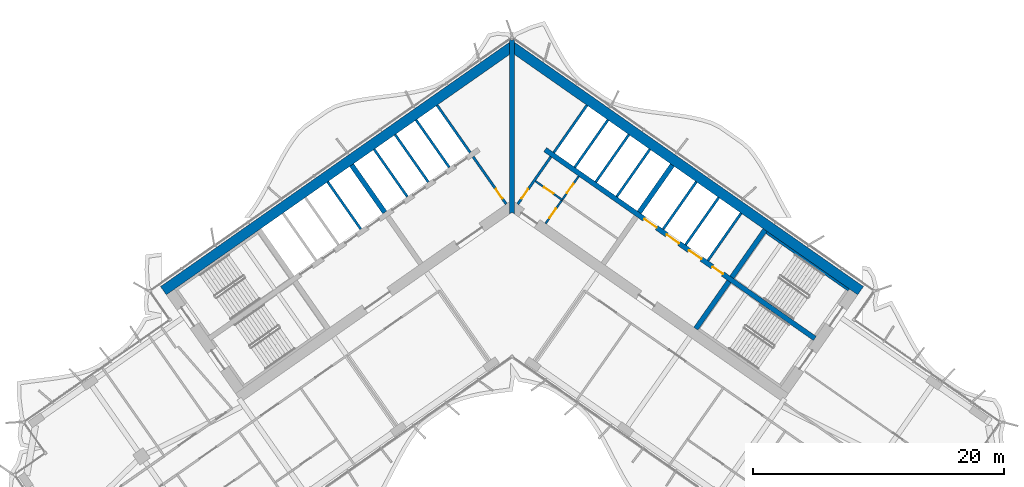
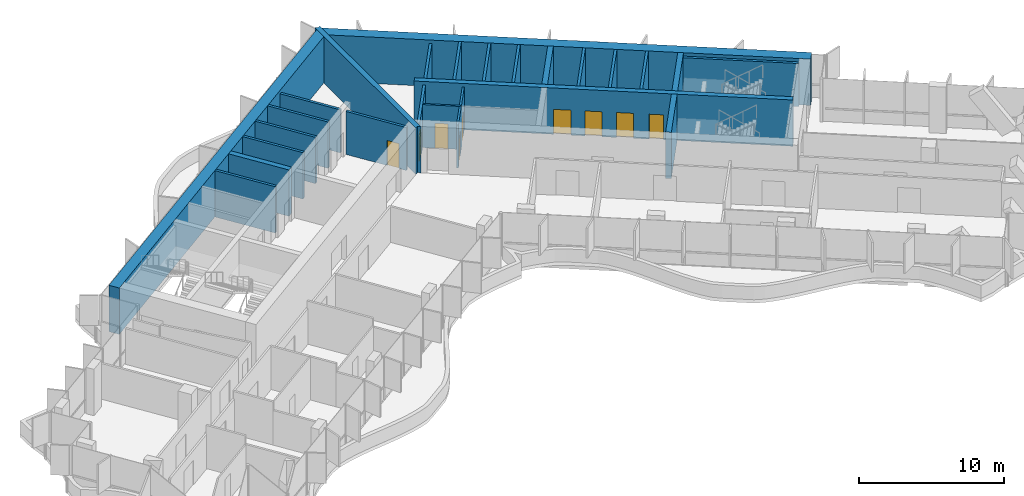
# One storey, part 14 of 21: 25 walls, 9 doors, 9 openings.
"""IFC4 building model written with IfcOpenShell, lengths in metres."""

import ifcopenshell
import ifcopenshell.guid

model = None  # the IFC model being written
_history = None  # IfcOwnerHistory: only IFC2X3 demands one
_inside = {}  # id of a spatial element -> (the spatial element, [elements in it])
_under = {}  # id of a project, library or spatial element -> (it, [spatial elements below it])
_declared = {}  # id of a project -> (the project, [libraries it declares])
_typed = {}  # id of a type object -> (the type object, [elements of that type])
_made_of = {}  # id of a material, layer set ... -> (it, [elements and type objects made of it])


def new_model(schema):
    """Start an empty IFC model of exactly this schema.

    Asked for "IFC4X3", IfcOpenShell would pick the latest addendum, in which some entities
    have other attributes; the version numbers below select the first issue.
    IFC2X3 requires an IfcOwnerHistory on every rooted entity: one is made here for all.
    """
    global model, _history
    if schema == "IFC4X3":
        model = ifcopenshell.file(schema_version=(4, 3, 0, 0))
    else:
        model = ifcopenshell.file(schema=schema)
    _inside.clear()
    _under.clear()
    _declared.clear()
    _typed.clear()
    _made_of.clear()
    _history = None
    if model.schema == "IFC2X3":
        org = make("IfcOrganization", Name="unknown")
        user = make(
            "IfcPersonAndOrganization",
            ThePerson=make("IfcPerson", FamilyName="unknown"),
            TheOrganization=org,
        )
        app = make(
            "IfcApplication",
            ApplicationDeveloper=org,
            Version="unknown",
            ApplicationFullName="unknown",
            ApplicationIdentifier="unknown",
        )
        _history = make(
            "IfcOwnerHistory",
            OwningUser=user,
            OwningApplication=app,
            ChangeAction="ADDED",
            CreationDate=0,
        )
    return model


def make(cls, **values):
    """One entity of the class cls with the attributes given. An attribute that is None is left unset."""
    return model.create_entity(
        cls, **{name: value for name, value in values.items() if value is not None}
    )


def rooted(cls, **values):
    """An entity with a GlobalId (a new one), such as an element, a storey or a relation."""
    return make(cls, GlobalId=ifcopenshell.guid.new(), OwnerHistory=_history, **values)


def si_unit(unit_type, name, prefix=None):
    """IfcSIUnit, for example si_unit("LENGTHUNIT", "METRE", prefix="MILLI")."""
    return make("IfcSIUnit", UnitType=unit_type, Prefix=prefix, Name=name)


def assignment(units):
    """IfcUnitAssignment: the units of a project."""
    return None if units is None else make("IfcUnitAssignment", Units=units)


def point(xyz):
    """IfcCartesianPoint."""
    return None if xyz is None else make("IfcCartesianPoint", Coordinates=xyz)


def direction(xyz):
    """IfcDirection."""
    return None if xyz is None else make("IfcDirection", DirectionRatios=xyz)


def frame(location, z_axis=None, x_axis=None):
    """IfcAxis2Placement3D, a coordinate frame: its origin and axes. An axis left out is left unset."""
    return make(
        "IfcAxis2Placement3D",
        Location=point(location),
        Axis=direction(z_axis),
        RefDirection=direction(x_axis),
    )


def frame_2d(location, x_axis=None):
    """IfcAxis2Placement2D, a coordinate frame in the plane: its origin and x axis."""
    return make(
        "IfcAxis2Placement2D", Location=point(location), RefDirection=direction(x_axis)
    )


def origin():
    """The frame at (0, 0, 0) with its axes left unset."""
    return frame((0.0, 0.0, 0.0))


def place(relative_to, where):
    """IfcLocalPlacement: puts the frame where relative to a parent placement (None: the world)."""
    return make(
        "IfcLocalPlacement", PlacementRelTo=relative_to, RelativePlacement=where
    )


def context(
    kind, dimensions, precision=None, world=None, true_north=None, identifier=None
):
    """IfcGeometricRepresentationContext, for example the 3D "Model" context."""
    return make(
        "IfcGeometricRepresentationContext",
        ContextIdentifier=identifier,
        ContextType=kind,
        CoordinateSpaceDimension=dimensions,
        Precision=precision,
        WorldCoordinateSystem=world,
        TrueNorth=true_north,
    )


def subcontext(parent, identifier, kind, view, scale=None):
    """IfcGeometricRepresentationSubContext, for example "Body" below "Model"."""
    return make(
        "IfcGeometricRepresentationSubContext",
        ContextIdentifier=identifier,
        ContextType=kind,
        ParentContext=parent,
        TargetScale=scale,
        TargetView=view,
    )


def project(units=None, contexts=None):
    """IfcProject with its units and contexts."""
    return rooted(
        "IfcProject",
        Name="project",
        RepresentationContexts=contexts,
        UnitsInContext=assignment(units),
    )


def spatial(cls, under=None, at=None, **own):
    """A site, building, storey or space (cls), placed at a placement, below another one or the project."""
    s = rooted(cls, ObjectPlacement=at, **own)
    if under is not None:
        _under.setdefault(under.id(), (under, []))[1].append(s)
    return s


def polyline(points):
    """IfcPolyline through the points."""
    return make("IfcPolyline", Points=[point(p) for p in points])


def profile(cls, at=None, kind="AREA", **sizes):
    """A parametric profile (cls). Its sizes go by their IFC names, for example OverallWidth=200.0."""
    return make(cls, ProfileType=kind, Position=at, **sizes)


def rectangle(**sizes):
    """IfcRectangleProfileDef."""
    return profile("IfcRectangleProfileDef", **sizes)


def outline(outer, holes=None, kind="AREA"):
    """IfcArbitraryClosedProfileDef: a profile drawn as a closed curve; with holes, ...WithVoids."""
    if holes is None:
        return make("IfcArbitraryClosedProfileDef", ProfileType=kind, OuterCurve=outer)
    return make(
        "IfcArbitraryProfileDefWithVoids",
        ProfileType=kind,
        OuterCurve=outer,
        InnerCurves=holes,
    )


def extrude(swept, where, along, depth):
    """IfcExtrudedAreaSolid: the profile swept, set in the frame where, extruded along a direction by depth."""
    return make(
        "IfcExtrudedAreaSolid",
        SweptArea=swept,
        Position=where,
        ExtrudedDirection=direction(along),
        Depth=depth,
    )


def shape(context_of_items, identifier, shape_type, items):
    """IfcShapeRepresentation: the items that make up one representation, for example the "Body"."""
    return make(
        "IfcShapeRepresentation",
        ContextOfItems=context_of_items,
        RepresentationIdentifier=identifier,
        RepresentationType=shape_type,
        Items=items,
    )


def material(Name=None, Category=None):
    """IfcMaterial."""
    return make("IfcMaterial", Name=Name, Category=Category)


def layer(
    of_material, thickness, ventilated=None, Name=None, Category=None, Priority=None
):
    """IfcMaterialLayer: one layer of a wall or slab, of a material (None: an air gap)."""
    return make(
        "IfcMaterialLayer",
        Material=of_material,
        LayerThickness=thickness,
        IsVentilated=ventilated,
        Name=Name,
        Category=Category,
        Priority=Priority,
    )


def layer_set(layers, Name=None):
    """IfcMaterialLayerSet."""
    return make("IfcMaterialLayerSet", MaterialLayers=layers, LayerSetName=Name)


def made_of(thing, what):
    """Note that an element or type object is made of a material, layer set ...; save() writes the relation."""
    if what is not None:
        _made_of.setdefault(what.id(), (what, []))[1].append(thing)
    return thing


def type_object(cls, material=None, **own):
    """A type object (cls), such as IfcWallType, which elements share."""
    return made_of(rooted(cls, **own), material)


def element(
    cls,
    number,
    at=None,
    inside=None,
    cuts=None,
    type_object=None,
    material=None,
    context=None,
    identifier="Body",
    shape_type=None,
    held_by="IfcProductDefinitionShape",
    body=None,
    shapes=None,
    **own,
):
    """One element of the class cls, such as IfcWall. Its Tag is "e" and its number.

    at: its placement. inside: the storey or other place that contains it. cuts: it is an
    opening in that element (IfcRelVoidsElement). A single representation is given by context,
    identifier, shape_type and body (its items); several are given by shapes. held_by: the class
    of the entity that holds the representations. save() writes the other relations.
    """
    e = rooted(cls, Tag="e%d" % number, ObjectPlacement=at, **own)
    if body is not None:
        shapes = [shape(context, identifier, shape_type, body)]
    if shapes is not None:
        e.Representation = make(held_by, Representations=shapes)
    if inside is not None:
        _inside.setdefault(inside.id(), (inside, []))[1].append(e)
    if cuts is not None:
        rooted(
            "IfcRelVoidsElement", RelatingBuildingElement=cuts, RelatedOpeningElement=e
        )
    if type_object is not None:
        _typed.setdefault(type_object.id(), (type_object, []))[1].append(e)
    return made_of(e, material)


def fill(opening, filler):
    """IfcRelFillsElement: the door or window that sits in an opening."""
    return rooted(
        "IfcRelFillsElement",
        RelatingOpeningElement=opening,
        RelatedBuildingElement=filler,
    )


def aggregate(whole, parts):
    """IfcRelAggregates: a whole, such as a stair, and the parts it consists of."""
    return rooted("IfcRelAggregates", RelatingObject=whole, RelatedObjects=parts)


def save(model, path):
    """Write the relations noted so far, then the file.

    IfcRelAggregates (storeys below a building ...), IfcRelContainedInSpatialStructure (elements
    in a storey), IfcRelDefinesByType, IfcRelAssociatesMaterial and IfcRelDeclares: one each for
    every whole, place, type object, material and project.
    """
    for whole, parts in _under.values():
        aggregate(whole, parts)
    for where, things in _inside.values():
        rooted(
            "IfcRelContainedInSpatialStructure",
            RelatedElements=things,
            RelatingStructure=where,
        )
    for kind, things in _typed.values():
        rooted("IfcRelDefinesByType", RelatedObjects=things, RelatingType=kind)
    for what, things in _made_of.values():
        rooted("IfcRelAssociatesMaterial", RelatedObjects=things, RelatingMaterial=what)
    for by, libraries in _declared.values():
        rooted("IfcRelDeclares", RelatingContext=by, RelatedDefinitions=libraries)
    model.write(path)


model = new_model("IFC4")

# Units and contexts
model_context = context("Model", 3, precision=1e-05, world=origin(), true_north=direction((0.0, 1.0)))
body_context = subcontext(model_context, "Body", "Model", "MODEL_VIEW")
ifc_project = project(units=[si_unit("LENGTHUNIT", "METRE"), si_unit("AREAUNIT", "SQUARE_METRE"), si_unit("VOLUMEUNIT", "CUBIC_METRE"), si_unit("PLANEANGLEUNIT", "RADIAN"), si_unit("MASSUNIT", "GRAM", prefix="KILO")], contexts=[model_context])

# Site, building, storey
site_placement = place(None, origin())
site = spatial("IfcSite", under=ifc_project, at=site_placement, CompositionType="ELEMENT")
building_placement = place(site_placement, origin())
building = spatial("IfcBuilding", under=site, at=building_placement, Name="Tel Ilan Convention Tower", CompositionType="ELEMENT")
storey_placement = place(building_placement, frame((0.0, 0.0, 139.800048828125)))
storey = spatial("IfcBuildingStorey", under=building, at=storey_placement, Name="L31", CompositionType="ELEMENT", Elevation=139.800048828125)

# Wall, openings, doors
ifc_material_1 = material(Name="Gypsum Plasterboard on Steel Stud", Category="steel")
ifc_layer_1 = layer(ifc_material_1, 0.14990234375)
ifc_layer_set_1 = layer_set([ifc_layer_1], Name="Core Room Partition Wall 150 mm EI 60")
wall_type_1 = type_object("IfcWallType", Name="Core Room Partition Wall 150 mm EI 60", PredefinedType="PARTITIONING", material=ifc_layer_set_1)
wall_1_placement = place(storey_placement, frame((2.67041015625, -2.114013671875, 0.0), z_axis=(0.0, 0.0, 1.0), x_axis=(0.573576324356, 0.819152122709, 0.0)))
wall_1 = element("IfcWall", 1, at=wall_1_placement, inside=storey, type_object=wall_type_1, Name="L31 core wall wc-v1", PredefinedType="PARTITIONING", context=body_context, shape_type="SweptSolid", body=[
    extrude(rectangle(XDim=4.599853515625, YDim=0.14990234375, at=frame_2d((2.2998046875, 0.0))), origin(), (0.0, 0.0, 1.0), 3.619873046875),
])
opening_1_placement = place(wall_1_placement, frame((0.550048828125, 0.0, 0.0)))
opening_1 = element("IfcOpeningElement", 2, at=opening_1_placement, cuts=wall_1, Name="Opening CD2509", PredefinedType="OPENING", context=body_context, shape_type="SweptSolid", body=[
    extrude(rectangle(XDim=0.89990234375, YDim=2.10009765625, at=frame_2d((0.449951171875, 1.050048828125))), frame((0.0, 0.0849609375, 0.0), z_axis=(0.0, -1.0, 0.0), x_axis=(1.0, 0.0, 0.0)), (0.0, 0.0, 1.0), 0.169921875),
])
opening_2_placement = place(wall_1_placement, frame((2.949951171875, 0.0, 0.0)))
opening_2 = element("IfcOpeningElement", 3, at=opening_2_placement, cuts=wall_1, Name="Opening CD2510", PredefinedType="OPENING", context=body_context, shape_type="SweptSolid", body=[
    extrude(rectangle(XDim=0.89990234375, YDim=2.10009765625, at=frame_2d((0.449951171875, 1.050048828125))), frame((0.0, 0.0849609375, 0.0), z_axis=(0.0, -1.0, 0.0), x_axis=(1.0, 0.0, 0.0)), (0.0, 0.0, 1.0), 0.169921875),
])
ifc_material_2 = material(Name="Laminated Timber Door Leaf", Category="wood")
door_type_1 = type_object("IfcDoorType", Name="Toilet Door 900 x 2100 FD30S", OperationType="NOTDEFINED", PredefinedType="DOOR", material=ifc_material_2)
door_1_placement = place(opening_1_placement, origin())
door_1 = element("IfcDoor", 4, at=door_1_placement, inside=storey, type_object=door_type_1, Name="Women's WC door", OperationType="SINGLE_SWING_RIGHT", OverallHeight=2.10009765625, OverallWidth=0.89990234375, PredefinedType="DOOR", context=body_context, shape_type="SweptSolid", body=[
    extrude(rectangle(XDim=0.89990234375, YDim=2.10009765625, at=frame_2d((0.449951171875, 1.050048828125))), frame((0.0, 0.02490234375, 0.0), z_axis=(0.0, -1.0, 0.0), x_axis=(1.0, 0.0, 0.0)), (0.0, 0.0, 1.0), 0.050048828125),
])
fill(opening_1, door_1)
door_2_placement = place(opening_2_placement, origin())
door_2 = element("IfcDoor", 5, at=door_2_placement, inside=storey, type_object=door_type_1, Name="Men's WC door", OperationType="SINGLE_SWING_RIGHT", OverallHeight=2.10009765625, OverallWidth=0.89990234375, PredefinedType="DOOR", context=body_context, shape_type="SweptSolid", body=[
    extrude(rectangle(XDim=0.89990234375, YDim=2.10009765625, at=frame_2d((0.449951171875, 1.050048828125))), frame((0.0, 0.02490234375, 0.0), z_axis=(0.0, -1.0, 0.0), x_axis=(1.0, 0.0, 0.0)), (0.0, 0.0, 1.0), 0.050048828125),
])
fill(opening_2, door_2)

# Wall, opening, door
wall_2_placement = place(storey_placement, frame((1.85986328125, 1.261474609375, 0.0), z_axis=(0.0, 0.0, 1.0), x_axis=(0.819103967032, -0.573645091666, 0.0)))
wall_2 = element("IfcWall", 6, at=wall_2_placement, inside=storey, type_object=wall_type_1, Name="L31 core wall wc-h1", PredefinedType="PARTITIONING", context=body_context, shape_type="SweptSolid", body=[
    extrude(rectangle(XDim=2.599853515625, YDim=0.14990234375, at=frame_2d((1.2998046875, 0.0))), origin(), (0.0, 0.0, 1.0), 3.619873046875),
])
opening_3_placement = place(wall_2_placement, frame((0.85009765625, 0.0, 0.0)))
opening_3 = element("IfcOpeningElement", 7, at=opening_3_placement, cuts=wall_2, Name="Opening CD2508", PredefinedType="OPENING", context=body_context, shape_type="SweptSolid", body=[
    extrude(rectangle(XDim=0.89990234375, YDim=2.10009765625, at=frame_2d((0.449951171875, 1.050048828125))), frame((0.0, 0.0849609375, 0.0), z_axis=(0.0, -1.0, 0.0), x_axis=(1.0, 0.0, 0.0)), (0.0, 0.0, 1.0), 0.169921875),
])
door_3_placement = place(opening_3_placement, origin())
door_3 = element("IfcDoor", 8, at=door_3_placement, inside=storey, type_object=door_type_1, Name="Accessible WC door", OperationType="SINGLE_SWING_RIGHT", OverallHeight=2.10009765625, OverallWidth=0.89990234375, PredefinedType="DOOR", context=body_context, shape_type="SweptSolid", body=[
    extrude(rectangle(XDim=0.89990234375, YDim=2.10009765625, at=frame_2d((0.449951171875, 1.050048828125))), frame((0.0, 0.02490234375, 0.0), z_axis=(0.0, -1.0, 0.0), x_axis=(1.0, 0.0, 0.0)), (0.0, 0.0, 1.0), 0.050048828125),
])
fill(opening_3, door_3)

ifc_material_3 = material(Name="Concrete C30/37", Category="concrete")
ifc_layer_2 = layer(ifc_material_3, 0.199951171875)
ifc_layer_set_2 = layer_set([ifc_layer_2], Name="Core Service Room Wall 200 mm C30/37")
wall_type_2 = type_object("IfcWallType", Name="Core Service Room Wall 200 mm C30/37", PredefinedType="SOLIDWALL", material=ifc_layer_set_2)
wall_3_placement = place(storey_placement, frame((-0.458740234375, -0.565185546875, 0.0), z_axis=(0.0, 0.0, 1.0), x_axis=(-0.573576324356, 0.819152122709, 0.0)))
wall_3 = element("IfcWall", 9, at=wall_3_placement, inside=storey, type_object=wall_type_2, Name="L31 core wall apex-W", PredefinedType="SOLIDWALL", context=body_context, shape_type="SweptSolid", body=[
    extrude(rectangle(XDim=4.599853515625, YDim=0.199951171875, at=frame_2d((2.2998046875, 0.0))), origin(), (0.0, 0.0, 1.0), 3.619873046875),
])
opening_4_placement = place(wall_3_placement, frame((0.550048828125, 0.0, 0.0)))
opening_4 = element("IfcOpeningElement", 10, at=opening_4_placement, cuts=wall_3, Name="Opening CD2502", PredefinedType="OPENING", context=body_context, shape_type="SweptSolid", body=[
    extrude(rectangle(XDim=0.89990234375, YDim=2.10009765625, at=frame_2d((0.449951171875, 1.050048828125))), frame((0.0, 0.10986328125, 0.0), z_axis=(0.0, -1.0, 0.0), x_axis=(1.0, 0.0, 0.0)), (0.0, 0.0, 1.0), 0.219970703125),
])
ifc_material_4 = material(Name="Galvanised Steel Door Leaf", Category="steel")
door_type_2 = type_object("IfcDoorType", Name="Service Room Door 900 x 2100 FD60", OperationType="NOTDEFINED", PredefinedType="DOOR", material=ifc_material_4)
door_4_placement = place(opening_4_placement, origin())
door_4 = element("IfcDoor", 11, at=door_4_placement, inside=storey, type_object=door_type_2, Name="Electrical Room door", OperationType="SINGLE_SWING_RIGHT", OverallHeight=2.10009765625, OverallWidth=0.89990234375, PredefinedType="DOOR", context=body_context, shape_type="SweptSolid", body=[
    extrude(rectangle(XDim=0.89990234375, YDim=2.10009765625, at=frame_2d((0.449951171875, 1.050048828125))), frame((0.0, 0.02490234375, 0.0), z_axis=(0.0, -1.0, 0.0), x_axis=(1.0, 0.0, 0.0)), (0.0, 0.0, 1.0), 0.050048828125),
])
fill(opening_4, door_4)

# Wall
wall_4_placement = place(storey_placement, frame((-3.32666015625, 3.530517578125, 0.0), z_axis=(0.0, 0.0, 1.0), x_axis=(-0.573576324356, 0.819152122709, 0.0)))
element("IfcWall", 12, at=wall_4_placement, inside=storey, type_object=wall_type_2, Name="L31 core wall apex-W-b", PredefinedType="SOLIDWALL", context=body_context, shape_type="SweptSolid", body=[
    extrude(rectangle(XDim=4.599853515625, YDim=0.199951171875, at=frame_2d((2.2998046875, 0.0))), origin(), (0.0, 0.0, 1.0), 3.619873046875),
])

# Wall, opening, door
wall_5_placement = place(storey_placement, frame((0.458740234375, -0.565185546875, 0.0), z_axis=(0.0, 0.0, 1.0), x_axis=(0.573576324356, 0.819152122709, 0.0)))
wall_5 = element("IfcWall", 13, at=wall_5_placement, inside=storey, type_object=wall_type_2, Name="L31 core wall apex-E", PredefinedType="SOLIDWALL", context=body_context, shape_type="SweptSolid", body=[
    extrude(rectangle(XDim=4.599853515625, YDim=0.199951171875, at=frame_2d((2.2998046875, 0.0))), origin(), (0.0, 0.0, 1.0), 3.619873046875),
])
opening_5_placement = place(wall_5_placement, frame((0.550048828125, 0.0, 0.0)))
opening_5 = element("IfcOpeningElement", 14, at=opening_5_placement, cuts=wall_5, Name="Opening CD2501", PredefinedType="OPENING", context=body_context, shape_type="SweptSolid", body=[
    extrude(rectangle(XDim=0.89990234375, YDim=2.10009765625, at=frame_2d((0.449951171875, 1.050048828125))), frame((0.0, 0.10986328125, 0.0), z_axis=(0.0, -1.0, 0.0), x_axis=(1.0, 0.0, 0.0)), (0.0, 0.0, 1.0), 0.219970703125),
])
door_5_placement = place(opening_5_placement, origin())
door_5 = element("IfcDoor", 15, at=door_5_placement, inside=storey, type_object=door_type_2, Name="Store Room door", OperationType="SINGLE_SWING_RIGHT", OverallHeight=2.10009765625, OverallWidth=0.89990234375, PredefinedType="DOOR", context=body_context, shape_type="SweptSolid", body=[
    extrude(rectangle(XDim=0.89990234375, YDim=2.10009765625, at=frame_2d((0.449951171875, 1.050048828125))), frame((0.0, 0.02490234375, 0.0), z_axis=(0.0, -1.0, 0.0), x_axis=(1.0, 0.0, 0.0)), (0.0, 0.0, 1.0), 0.050048828125),
])
fill(opening_5, door_5)

# Walls
wall_6_placement = place(storey_placement, frame((3.32666015625, 3.530517578125, 0.0), z_axis=(0.0, 0.0, 1.0), x_axis=(0.573576324356, 0.819152122709, 0.0)))
element("IfcWall", 16, at=wall_6_placement, inside=storey, type_object=wall_type_2, Name="L31 core wall apex-E-b", PredefinedType="SOLIDWALL", context=body_context, shape_type="SweptSolid", body=[
    extrude(rectangle(XDim=4.599853515625, YDim=0.199951171875, at=frame_2d((2.2998046875, 0.0))), origin(), (0.0, 0.0, 1.0), 3.619873046875),
])
ifc_material_5 = material(Name="Concrete C50/60", Category="concrete")
ifc_layer_3 = layer(ifc_material_5, 0.39990234375)
ifc_layer_set_3 = layer_set([ifc_layer_3], Name="Core Shear Wall 400 mm C50/60")
wall_type_3 = type_object("IfcWallType", Name="Core Shear Wall 400 mm C50/60", PredefinedType="SHEAR", material=ifc_layer_set_3)
wall_7_placement = place(storey_placement, frame((-10.12548828125, -1.230224609375, 0.0), z_axis=(0.0, 0.0, 1.0), x_axis=(-0.573576324356, 0.819152122709, 0.0)))
element("IfcWall", 17, at=wall_7_placement, inside=storey, type_object=wall_type_3, Name="L31 core wall W-cross1-2", PredefinedType="SHEAR", context=body_context, shape_type="SweptSolid", body=[
    extrude(outline(polyline([(4.60009765625, -0.199951171875), (4.599853515625, 0.199951171875), (0.0, 0.2001953125), (0.0, -0.199951171875), (4.60009765625, -0.199951171875)])), origin(), (0.0, 0.0, 1.0), 3.89990234375),
])
wall_8_placement = place(storey_placement, frame((10.12548828125, -1.230224609375, 0.0), z_axis=(0.0, 0.0, 1.0), x_axis=(0.573576324356, 0.819152122709, 0.0)))
element("IfcWall", 18, at=wall_8_placement, inside=storey, type_object=wall_type_3, Name="L31 core wall E-cross1-2", PredefinedType="SHEAR", context=body_context, shape_type="SweptSolid", body=[
    extrude(outline(polyline([(4.599853515625, -0.199951171875), (4.60009765625, 0.199951171875), (0.0, 0.199951171875), (0.0, -0.2001953125), (4.599853515625, -0.199951171875)])), origin(), (0.0, 0.0, 1.0), 3.89990234375),
])
wall_9_placement = place(storey_placement, frame((14.6298828125, -10.48828125, 0.0), z_axis=(0.0, 0.0, 1.0), x_axis=(0.573611936273, 0.819127185829, 0.0)))
element("IfcWall", 19, at=wall_9_placement, inside=storey, type_object=wall_type_3, Name="L31 core wall E-cross2-1", PredefinedType="SHEAR", context=body_context, shape_type="SweptSolid", body=[
    extrude(outline(polyline([(0.000244140625, 0.199951171875), (0.000244140625, -0.2001953125), (4.60009765625, -0.199951171875), (4.60009765625, 0.2001953125), (0.000244140625, 0.199951171875)])), origin(), (0.0, 0.0, 1.0), 3.89990234375),
])
wall_10_placement = place(storey_placement, frame((17.497802734375, -6.392333984375, 0.0), z_axis=(0.0, 0.0, 1.0), x_axis=(0.573611936273, 0.819127185829, 0.0)))
element("IfcWall", 20, at=wall_10_placement, inside=storey, type_object=wall_type_3, Name="L31 core wall E-cross2-2", PredefinedType="SHEAR", context=body_context, shape_type="SweptSolid", body=[
    extrude(outline(polyline([(4.599853515625, -0.199951171875), (4.599853515625, 0.2001953125), (0.0, 0.199951171875), (0.0, -0.2001953125), (4.599853515625, -0.199951171875)])), origin(), (0.0, 0.0, 1.0), 3.89990234375),
])

# Wall, openings, doors
wall_11_placement = place(storey_placement, frame((2.638427734375, 3.76806640625, 0.0), z_axis=(0.0, 0.0, 1.0), x_axis=(0.81915267502, -0.573575535572, 0.0)))
wall_11 = element("IfcWall", 21, at=wall_11_placement, inside=storey, type_object=wall_type_3, Name="L31 core wall E-spine", PredefinedType="SHEAR", context=body_context, shape_type="SweptSolid", body=[
    extrude(outline(polyline([(0.0, 0.199951171875), (0.0, -0.199951171875), (26.199951171875, -0.199951171875), (26.199951171875, 0.199951171875), (0.0, 0.199951171875)])), origin(), (0.0, 0.0, 1.0), 3.89990234375),
])
opening_6_placement = place(wall_11_placement, frame((9.637451171875, 0.0, 0.0)))
opening_6 = element("IfcOpeningElement", 22, at=opening_6_placement, cuts=wall_11, Name="Opening LD2501", PredefinedType="OPENING", context=body_context, shape_type="SweptSolid", body=[
    extrude(rectangle(XDim=1.199951171875, YDim=2.10009765625, at=frame_2d((0.60009765625, 1.050048828125))), frame((0.0, 0.2099609375, 0.0), z_axis=(0.0, -1.0, 0.0), x_axis=(1.0, 0.0, 0.0)), (0.0, 0.0, 1.0), 0.419921875),
])
opening_7_placement = place(wall_11_placement, frame((11.8125, 0.0, 0.0)))
opening_7 = element("IfcOpeningElement", 23, at=opening_7_placement, cuts=wall_11, Name="Opening LD2502", PredefinedType="OPENING", context=body_context, shape_type="SweptSolid", body=[
    extrude(rectangle(XDim=1.199951171875, YDim=2.10009765625, at=frame_2d((0.60009765625, 1.050048828125))), frame((0.0, 0.2099609375, 0.0), z_axis=(0.0, -1.0, 0.0), x_axis=(1.0, 0.0, 0.0)), (0.0, 0.0, 1.0), 0.419921875),
])
opening_8_placement = place(wall_11_placement, frame((13.987548828125, 0.0, 0.0)))
opening_8 = element("IfcOpeningElement", 24, at=opening_8_placement, cuts=wall_11, Name="Opening LD2503", PredefinedType="OPENING", context=body_context, shape_type="SweptSolid", body=[
    extrude(rectangle(XDim=1.199951171875, YDim=2.10009765625, at=frame_2d((0.60009765625, 1.050048828125))), frame((0.0, 0.2099609375, 0.0), z_axis=(0.0, -1.0, 0.0), x_axis=(1.0, 0.0, 0.0)), (0.0, 0.0, 1.0), 0.419921875),
])
opening_9_placement = place(wall_11_placement, frame((16.262451171875, 0.0, 0.0)))
opening_9 = element("IfcOpeningElement", 25, at=opening_9_placement, cuts=wall_11, Name="Opening CD2507", PredefinedType="OPENING", context=body_context, shape_type="SweptSolid", body=[
    extrude(rectangle(XDim=1.0, YDim=2.10009765625, at=frame_2d((0.5, 1.050048828125))), frame((0.0, 0.2099609375, 0.0), z_axis=(0.0, -1.0, 0.0), x_axis=(1.0, 0.0, 0.0)), (0.0, 0.0, 1.0), 0.419921875),
])
ifc_material_6 = material(Name="Stainless Steel Sliding Door Leaf", Category="steel")
door_type_3 = type_object("IfcDoorType", Name="Lift Landing Door 1200 x 2100 FD120", OperationType="NOTDEFINED", PredefinedType="DOOR", material=ifc_material_6)
door_6_placement = place(opening_6_placement, origin())
door_6 = element("IfcDoor", 26, at=door_6_placement, inside=storey, type_object=door_type_3, Name="Lift FL1 landing door", OperationType="SLIDING_TO_LEFT", OverallHeight=2.10009765625, OverallWidth=1.199951171875, PredefinedType="DOOR", context=body_context, shape_type="SweptSolid", body=[
    extrude(rectangle(XDim=1.199951171875, YDim=2.10009765625, at=frame_2d((0.60009765625, 1.050048828125))), frame((0.0, 0.02490234375, 0.0), z_axis=(0.0, -1.0, 0.0), x_axis=(1.0, 0.0, 0.0)), (0.0, 0.0, 1.0), 0.050048828125),
])
fill(opening_6, door_6)
door_7_placement = place(opening_7_placement, origin())
door_7 = element("IfcDoor", 27, at=door_7_placement, inside=storey, type_object=door_type_3, Name="Lift FL2 landing door", OperationType="SLIDING_TO_RIGHT", OverallHeight=2.10009765625, OverallWidth=1.199951171875, PredefinedType="DOOR", context=body_context, shape_type="SweptSolid", body=[
    extrude(rectangle(XDim=1.199951171875, YDim=2.10009765625, at=frame_2d((0.60009765625, 1.050048828125))), frame((0.0, 0.02490234375, 0.0), z_axis=(0.0, -1.0, 0.0), x_axis=(1.0, 0.0, 0.0)), (0.0, 0.0, 1.0), 0.050048828125),
])
fill(opening_7, door_7)
door_8_placement = place(opening_8_placement, origin())
door_8 = element("IfcDoor", 28, at=door_8_placement, inside=storey, type_object=door_type_3, Name="Lift FL3 landing door", OperationType="SLIDING_TO_LEFT", OverallHeight=2.10009765625, OverallWidth=1.199951171875, PredefinedType="DOOR", context=body_context, shape_type="SweptSolid", body=[
    extrude(rectangle(XDim=1.199951171875, YDim=2.10009765625, at=frame_2d((0.60009765625, 1.050048828125))), frame((0.0, 0.02490234375, 0.0), z_axis=(0.0, -1.0, 0.0), x_axis=(1.0, 0.0, 0.0)), (0.0, 0.0, 1.0), 0.050048828125),
])
fill(opening_8, door_8)
ifc_material_7 = material(Name="Galvanised Steel Door Leaf", Category="steel")
door_type_4 = type_object("IfcDoorType", Name="Service Room Door 1000 x 2100 FD60", OperationType="NOTDEFINED", PredefinedType="DOOR", material=ifc_material_7)
door_9_placement = place(opening_9_placement, origin())
door_9 = element("IfcDoor", 29, at=door_9_placement, inside=storey, type_object=door_type_4, Name="Plant Room door", OperationType="SINGLE_SWING_RIGHT", OverallHeight=2.10009765625, OverallWidth=1.0, PredefinedType="DOOR", context=body_context, shape_type="SweptSolid", body=[
    extrude(rectangle(XDim=1.0, YDim=2.10009765625, at=frame_2d((0.5, 1.050048828125))), frame((0.0, 0.02490234375, 0.0), z_axis=(0.0, -1.0, 0.0), x_axis=(1.0, 0.0, 0.0)), (0.0, 0.0, 1.0), 0.050048828125),
])
fill(opening_9, door_9)

# Walls
wall_12_placement = place(storey_placement, frame((0.0, -1.36083984375, 0.0), z_axis=(0.0, 0.0, 1.0), x_axis=(0.0, 1.0, 0.0)))
element("IfcWall", 30, at=wall_12_placement, inside=storey, type_object=wall_type_3, Name="L31 core wall K-central", PredefinedType="SHEAR", context=body_context, shape_type="SweptSolid", body=[
    extrude(outline(polyline([(0.0, -0.199951171875), (0.14013671875, -0.199951171875), (1.0751953125, -0.199951171875), (12.696044921875, -0.199951171875), (13.812744140625, -0.199951171875), (13.893310546875, -0.199951171875), (13.933349609375, -0.172119140625), (13.812744140625, 0.0), (13.933349609375, 0.172119140625), (13.893310546875, 0.199951171875), (13.812744140625, 0.199951171875), (12.696044921875, 0.199951171875), (1.0751953125, 0.199951171875), (0.14013671875, 0.199951171875), (0.0, 0.199951171875), (0.14013671875, 0.0), (0.0, -0.199951171875)])), origin(), (0.0, 0.0, 1.0), 3.89990234375),
])
ifc_material_8 = material(Name="Concrete C50/60", Category="concrete")
ifc_layer_4 = layer(ifc_material_8, 0.800048828125)
ifc_layer_set_4 = layer_set([ifc_layer_4], Name="Core Shear Wall 800 mm C50/60")
wall_type_4 = type_object("IfcWallType", Name="Core Shear Wall 800 mm C50/60", PredefinedType="SHEAR", material=ifc_layer_set_4)
wall_13_placement = place(storey_placement, frame((0.029296875, 11.984130859375, 0.0), z_axis=(0.0, 0.0, 1.0), x_axis=(-0.819151382952, -0.573577380837, 0.0)))
element("IfcWall", 31, at=wall_13_placement, inside=storey, type_object=wall_type_4, Name="L31 core wall W-back", PredefinedType="SHEAR", context=body_context, shape_type="SweptSolid", body=[
    extrude(outline(polyline([(33.897705078125, 0.39990234375), (0.56005859375, 0.400146484375), (-0.000244140625, -0.39990234375), (33.897705078125, -0.400146484375), (33.897705078125, 0.39990234375)])), origin(), (0.0, 0.0, 1.0), 3.89990234375),
])
wall_14_placement = place(storey_placement, frame((-0.029296875, 11.984130859375, 0.0), z_axis=(0.0, 0.0, 1.0), x_axis=(0.819151382952, -0.573577380837, 0.0)))
element("IfcWall", 32, at=wall_14_placement, inside=storey, type_object=wall_type_4, Name="L31 core wall E-back", PredefinedType="SHEAR", context=body_context, shape_type="SweptSolid", body=[
    extrude(outline(polyline([(33.897705078125, 0.400146484375), (-0.000244140625, 0.39990234375), (0.56005859375, -0.400146484375), (33.897705078125, -0.39990234375), (33.897705078125, 0.400146484375)])), origin(), (0.0, 0.0, 1.0), 3.89990234375),
])
ifc_material_9 = material(Name="Concrete C30/37", Category="concrete")
ifc_layer_5 = layer(ifc_material_9, 0.199951171875)
ifc_layer_set_5 = layer_set([ifc_layer_5], Name="Lift Shaft Wall 200 mm C30/37")
wall_type_5 = type_object("IfcWallType", Name="Lift Shaft Wall 200 mm C30/37", PredefinedType="SOLIDWALL", material=ifc_layer_set_5)
for number, where, z_axis, x_axis, name in (
    (33, (-4.99560546875, 2.36181640625, 0.0), (0.0, 0.0, 1.0), (-0.573576324356, 0.819152122709, 0.0), "L31 core wall bank-W1-p0"),
    (34, (-6.66455078125, 1.193115234375, 0.0), (0.0, 0.0, 1.0), (-0.573576324356, 0.819152122709, 0.0), "L31 core wall bank-W1-p1"),
):
    element("IfcWall", number, at=place(storey_placement, frame(where, z_axis=z_axis, x_axis=x_axis)), inside=storey, type_object=wall_type_5, Name=name, PredefinedType="SOLIDWALL", context=body_context, shape_type="SweptSolid", body=[
        extrude(rectangle(XDim=4.599853515625, YDim=0.199951171875, at=frame_2d((2.2998046875, 0.0))), origin(), (0.0, 0.0, 1.0), 3.89990234375),
    ])
wall_15_placement = place(storey_placement, frame((-8.33349609375, 0.0244140625, 0.0), z_axis=(0.0, 0.0, 1.0), x_axis=(-0.573611936273, 0.819127185829, 0.0)))
element("IfcWall", 35, at=wall_15_placement, inside=storey, type_object=wall_type_5, Name="L31 core wall bank-W1-p2", PredefinedType="SOLIDWALL", context=body_context, shape_type="SweptSolid", body=[
    extrude(rectangle(XDim=4.60009765625, YDim=0.199951171875, at=frame_2d((2.300048828125, 0.0))), origin(), (0.0, 0.0, 1.0), 3.89990234375),
])
for number, where, z_axis, x_axis, name in (
    (36, (-12.030029296875, -2.563720703125, 0.0), (0.0, 0.0, 1.0), (-0.573576324356, 0.819152122709, 0.0), "L31 core wall bank-W2-p0"),
    (37, (4.99560546875, 2.36181640625, 0.0), (0.0, 0.0, 1.0), (0.573576324356, 0.819152122709, 0.0), "L31 core wall bank-E1-p0"),
    (38, (6.66455078125, 1.193115234375, 0.0), (0.0, 0.0, 1.0), (0.573576324356, 0.819152122709, 0.0), "L31 core wall bank-E1-p1"),
):
    element("IfcWall", number, at=place(storey_placement, frame(where, z_axis=z_axis, x_axis=x_axis)), inside=storey, type_object=wall_type_5, Name=name, PredefinedType="SOLIDWALL", context=body_context, shape_type="SweptSolid", body=[
        extrude(rectangle(XDim=4.599853515625, YDim=0.199951171875, at=frame_2d((2.2998046875, 0.0))), origin(), (0.0, 0.0, 1.0), 3.89990234375),
    ])
wall_16_placement = place(storey_placement, frame((8.33349609375, 0.0244140625, 0.0), z_axis=(0.0, 0.0, 1.0), x_axis=(0.573611936273, 0.819127185829, 0.0)))
element("IfcWall", 39, at=wall_16_placement, inside=storey, type_object=wall_type_5, Name="L31 core wall bank-E1-p2", PredefinedType="SOLIDWALL", context=body_context, shape_type="SweptSolid", body=[
    extrude(rectangle(XDim=4.60009765625, YDim=0.199951171875, at=frame_2d((2.300048828125, 0.0))), origin(), (0.0, 0.0, 1.0), 3.89990234375),
])
for number, where, z_axis, x_axis, name in (
    (40, (12.030029296875, -2.563720703125, 0.0), (0.0, 0.0, 1.0), (0.573576324356, 0.819152122709, 0.0), "L31 core wall bank-E2-p0"),
    (41, (13.811767578125, -3.811279296875, 0.0), (0.0, 0.0, 1.0), (0.573576324356, 0.819152122709, 0.0), "L31 core wall bank-E2-p1"),
    (42, (15.593505859375, -5.058837890625, 0.0), (0.0, 0.0, 1.0), (0.573540709186, 0.819177059558, 0.0), "L31 core wall bank-E2-p2"),
):
    element("IfcWall", number, at=place(storey_placement, frame(where, z_axis=z_axis, x_axis=x_axis)), inside=storey, type_object=wall_type_5, Name=name, PredefinedType="SOLIDWALL", context=body_context, shape_type="SweptSolid", body=[
        extrude(rectangle(XDim=4.599853515625, YDim=0.199951171875, at=frame_2d((2.2998046875, 0.0))), origin(), (0.0, 0.0, 1.0), 3.89990234375),
    ])
ifc_material_10 = material(Name="Concrete C30/37", Category="concrete")
ifc_layer_6 = layer(ifc_material_10, 0.199951171875)
ifc_layer_set_6 = layer_set([ifc_layer_6], Name="Stair and Shaft Lining Wall 200 mm C30/37")
wall_type_6 = type_object("IfcWallType", Name="Stair and Shaft Lining Wall 200 mm C30/37", PredefinedType="SOLIDWALL", material=ifc_layer_set_6)
wall_17_placement = place(storey_placement, frame((20.242919921875, -2.821044921875, 0.0), z_axis=(0.0, 0.0, 1.0), x_axis=(0.819141584393, -0.57359137434, 0.0)))
element("IfcWall", 43, at=wall_17_placement, inside=storey, type_object=wall_type_6, Name="L31 core wall lining-S3-t1", PredefinedType="SOLIDWALL", context=body_context, shape_type="SweptSolid", body=[
    extrude(rectangle(XDim=7.999755859375, YDim=0.199951171875, at=frame_2d((4.0, 0.0))), origin(), (0.0, 0.0, 1.0), 3.619873046875),
])

save(model, "model.ifc")
